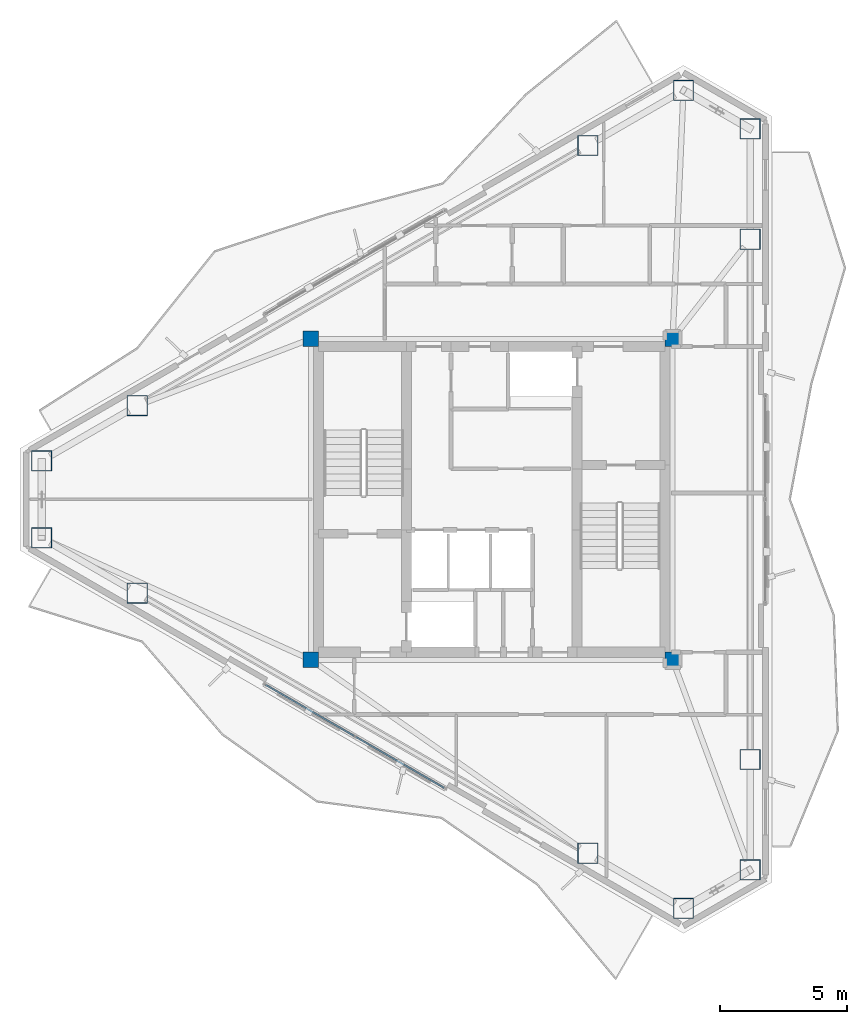
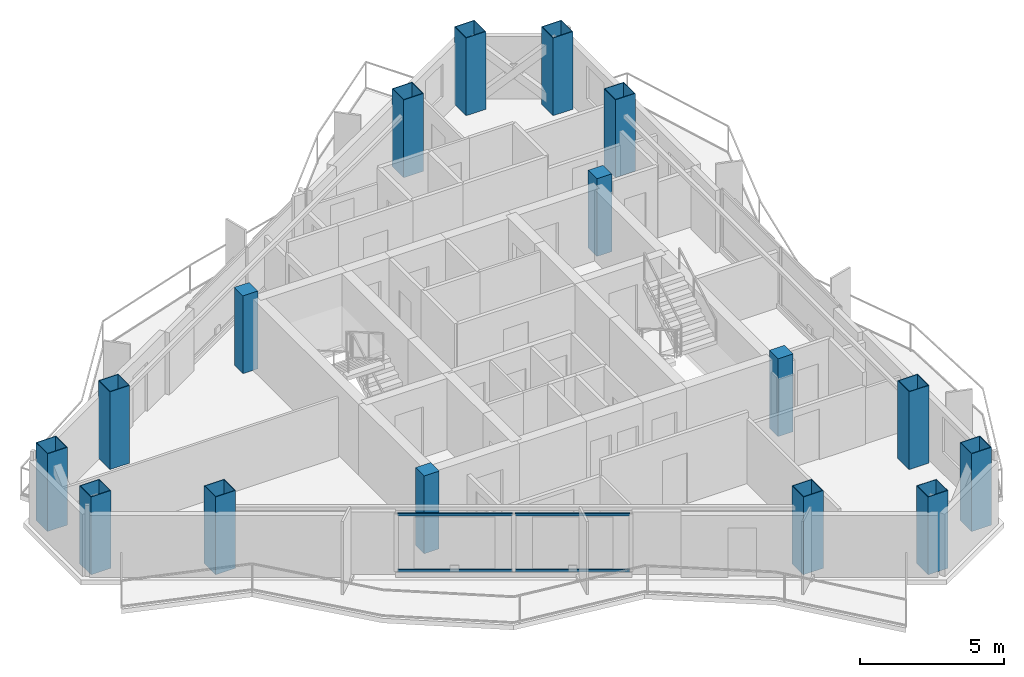
# One storey, part 1 of 18: 16 columns, 4 members, 1 element without a shape of its own.
"""IFC4 building model written with IfcOpenShell, lengths in metres."""

from ifc_helpers import new_model, si_unit, direction, frame, origin, origin_2d, place, context, subcontext, project, spatial, rectangle, hollow_rectangle, extrude, material, layer, layer_set, material_profile, profile_set, type_object, element, aggregate, save


model = new_model("IFC4")

# Units and contexts
model_context = context("Model", 3, precision=1e-05, world=origin(), true_north=direction((0.0, 1.0)))
body_context = subcontext(model_context, "Body", "Model", "MODEL_VIEW")
ifc_project = project(units=[si_unit("LENGTHUNIT", "METRE"), si_unit("AREAUNIT", "SQUARE_METRE"), si_unit("VOLUMEUNIT", "CUBIC_METRE"), si_unit("PLANEANGLEUNIT", "RADIAN"), si_unit("MASSUNIT", "GRAM", prefix="KILO")], contexts=[model_context])

# Site, building, storey
site_placement = place(None, origin())
site = spatial("IfcSite", under=ifc_project, at=site_placement, CompositionType="ELEMENT")
building_placement = place(site_placement, origin())
building = spatial("IfcBuilding", under=site, at=building_placement, Name="Mersakhor Tower and Convention Hall", CompositionType="ELEMENT")
storey_placement = place(building_placement, frame((0.0, 0.0, 246.300048828125)))
storey = spatial("IfcBuildingStorey", under=building, at=storey_placement, Name="L69", CompositionType="ELEMENT", Elevation=246.300048828125)

# Columns
ifc_material_1 = material(Name="Concrete C50/60 in S460M steel box", Category="concrete")
ifc_material_profile_1 = material_profile(ifc_material_1, hollow_rectangle(XDim=0.800048828125, YDim=0.800048828125, WallThickness=0.02490234375, at=origin_2d()), Name="SHS 800x800x25")
ifc_profile_set_1 = profile_set([ifc_material_profile_1], Name="Concrete C50/60 in S460M steel box")
column_type_1 = type_object("IfcColumnType", Name="COL-CFT-800", PredefinedType="COLUMN", material=ifc_profile_set_1)
for number, where, z_axis, x_axis, name in (
    (1, (11.33203125, 28.26123046875, 0.0), (0.0, 0.0, 1.0), (1.0, 0.0, 0.0), "L69 Perimeter Mega-Column MC-01"),
    (2, (15.085693359375, 30.428466796875, 0.0), (0.0, 0.0, 1.0), (1.0, 0.0, 0.0), "L69 Perimeter Mega-Column MC-02"),
    (3, (32.771484375, 40.639404296875, 0.0), (0.0, 0.0, 1.0), (1.0, 0.0, 0.0), "L69 Perimeter Mega-Column MC-03"),
    (4, (36.525146484375, 42.806640625, 0.0), (0.0, 0.0, 1.0), (1.0, 0.0, 0.0), "L69 Perimeter Mega-Column MC-04"),
    (5, (39.142822265625, 41.29541015625, 0.0), (0.0, 0.0, 1.0), (1.0, 0.0, 0.0), "L69 Perimeter Mega-Column MC-05"),
    (6, (39.142822265625, 36.960693359375, 0.0), (0.0, 0.0, 1.0), (1.0, 0.0, 0.0), "L69 Perimeter Mega-Column MC-06"),
    (7, (39.142822265625, 16.539306640625, 0.0), (0.0, 0.0, 1.0), (1.0, 0.0, 0.0), "L69 Perimeter Mega-Column MC-07"),
    (8, (39.142822265625, 12.20458984375, 0.0), (0.0, 0.0, 1.0), (1.0, 0.0, 0.0), "L69 Perimeter Mega-Column MC-08"),
    (9, (36.525146484375, 10.693359375, 0.0), (0.0, 0.0, 1.0), (1.0, 0.0, 0.0), "L69 Perimeter Mega-Column MC-09"),
    (10, (32.771484375, 12.860595703125, 0.0), (0.0, 0.0, 1.0), (1.0, 0.0, 0.0), "L69 Perimeter Mega-Column MC-10"),
    (11, (15.085693359375, 23.071533203125, 0.0), (0.0, 0.0, 1.0), (1.0, 0.0, 0.0), "L69 Perimeter Mega-Column MC-11"),
    (12, (11.33203125, 25.23876953125, 0.0), (0.0, 0.0, 1.0), (1.0, 0.0, 0.0), "L69 Perimeter Mega-Column MC-12"),
):
    element("IfcColumn", number, at=place(storey_placement, frame(where, z_axis=z_axis, x_axis=x_axis)), inside=storey, type_object=column_type_1, Name=name, PredefinedType="COLUMN", context=body_context, shape_type="SweptSolid", body=[
        extrude(hollow_rectangle(XDim=0.800048828125, YDim=0.800048828125, WallThickness=0.02490234375, at=origin_2d()), origin(), (0.0, 0.0, 1.0), 3.300048828125),
    ])
ifc_material_2 = material(Name="Concrete C50/60", Category="concrete")
ifc_material_profile_2 = material_profile(ifc_material_2, rectangle(XDim=0.60009765625, YDim=0.60009765625, at=origin_2d()), Name="RC 600x600")
ifc_profile_set_2 = profile_set([ifc_material_profile_2], Name="Concrete C50/60")
column_type_2 = type_object("IfcColumnType", Name="COL-RC-600", PredefinedType="COLUMN", material=ifc_profile_set_2)
for number, where, z_axis, x_axis, name in (
    (13, (21.89990234375, 20.449951171875, 0.0), (0.0, 0.0, 1.0), (1.0, 0.0, 0.0), "L69 Core Corner Column CC-1"),
    (14, (21.89990234375, 33.050048828125, 0.0), (0.0, 0.0, 1.0), (1.0, 0.0, 0.0), "L69 Core Corner Column CC-2"),
    (15, (36.10009765625, 33.050048828125, 0.0), (0.0, 0.0, 1.0), (1.0, 0.0, 0.0), "L69 Core Corner Column CC-3"),
    (16, (36.10009765625, 20.449951171875, 0.0), (0.0, 0.0, 1.0), (1.0, 0.0, 0.0), "L69 Core Corner Column CC-4"),
):
    element("IfcColumn", number, at=place(storey_placement, frame(where, z_axis=z_axis, x_axis=x_axis)), inside=storey, type_object=column_type_2, Name=name, PredefinedType="COLUMN", context=body_context, shape_type="SweptSolid", body=[
        extrude(rectangle(XDim=0.60009765625, YDim=0.60009765625, at=origin_2d()), origin(), (0.0, 0.0, 1.0), 3.300048828125),
    ])

# Curtain wall, members
ifc_material_3 = material(Name="Dark solar low-E aluminium curtain wall", Category="aluminium")
ifc_layer = layer(ifc_material_3, 0.179931640625)
ifc_layer_set = layer_set([ifc_layer], Name="Dark solar low-E aluminium curtain wall")
curtain_wall_type = type_object("IfcCurtainWallType", Name="CW-SYS-03", PredefinedType="USERDEFINED", material=ifc_layer_set)
curtain_wall_placement = place(storey_placement, origin())
curtain_wall = element("IfcCurtainWall", 17, at=curtain_wall_placement, inside=storey, type_object=curtain_wall_type, Name="L69 Dark-Glass Curtain Wall F3-B2", ObjectType="CURTAIN WALL", PredefinedType="USERDEFINED")
ifc_material_4 = material(Name="Anodised aluminium EN AW-6063 T6", Category="aluminium")
ifc_material_profile_3 = material_profile(ifc_material_4, hollow_rectangle(XDim=0.06005859375, YDim=0.1201171875, WallThickness=0.0048828125, at=origin_2d()), Name="RHS 120x60x5")
ifc_profile_set_3 = profile_set([ifc_material_profile_3], Name="Anodised aluminium EN AW-6063 T6")
member_type = type_object("IfcMemberType", Name="CWT-120x60", PredefinedType="USERDEFINED", material=ifc_profile_set_3)
member_1_placement = place(storey_placement, frame((27.12646484375, 15.427001953125, 0.22998046875), z_axis=(-0.866023018642, 0.500004131166, 0.0), x_axis=(-0.500004131166, -0.866023018642, 0.0)))
member_1 = element("IfcMember", 18, at=member_1_placement, type_object=member_type, Name="CW-03 transom 1.1", ObjectType="TRANSOM", PredefinedType="USERDEFINED", context=body_context, shape_type="SweptSolid", body=[
    extrude(hollow_rectangle(XDim=0.06005859375, YDim=0.1201171875, WallThickness=0.0048828125, at=origin_2d()), origin(), (0.0, 0.0, 1.0), 4.00146484375),
])
member_2_placement = place(storey_placement, frame((27.12646484375, 15.427001953125, 2.60986328125), z_axis=(-0.866023018642, 0.500004131166, 0.0), x_axis=(-0.500004131166, -0.866023018642, 0.0)))
member_2 = element("IfcMember", 19, at=member_2_placement, type_object=member_type, Name="CW-03 transom 1.2", ObjectType="TRANSOM", PredefinedType="USERDEFINED", context=body_context, shape_type="SweptSolid", body=[
    extrude(hollow_rectangle(XDim=0.06005859375, YDim=0.1201171875, WallThickness=0.0048828125, at=origin_2d()), origin(), (0.0, 0.0, 1.0), 4.00146484375),
])
member_3_placement = place(storey_placement, frame((23.59619140625, 17.465087890625, 0.22998046875), z_axis=(-0.866023018642, 0.500004131166, 0.0), x_axis=(-0.500004131166, -0.866023018642, 0.0)))
member_3 = element("IfcMember", 20, at=member_3_placement, type_object=member_type, Name="CW-03 transom 2.1", ObjectType="TRANSOM", PredefinedType="USERDEFINED", context=body_context, shape_type="SweptSolid", body=[
    extrude(hollow_rectangle(XDim=0.06005859375, YDim=0.1201171875, WallThickness=0.0048828125, at=origin_2d()), origin(), (0.0, 0.0, 1.0), 4.00146484375),
])
member_4_placement = place(storey_placement, frame((23.59619140625, 17.465087890625, 2.60986328125), z_axis=(-0.866023018642, 0.500004131166, 0.0), x_axis=(-0.500004131166, -0.866023018642, 0.0)))
member_4 = element("IfcMember", 21, at=member_4_placement, type_object=member_type, Name="CW-03 transom 2.2", ObjectType="TRANSOM", PredefinedType="USERDEFINED", context=body_context, shape_type="SweptSolid", body=[
    extrude(hollow_rectangle(XDim=0.06005859375, YDim=0.1201171875, WallThickness=0.0048828125, at=origin_2d()), origin(), (0.0, 0.0, 1.0), 4.00146484375),
])
aggregate(curtain_wall, [member_1, member_2, member_3, member_4])

save(model, "model.ifc")
